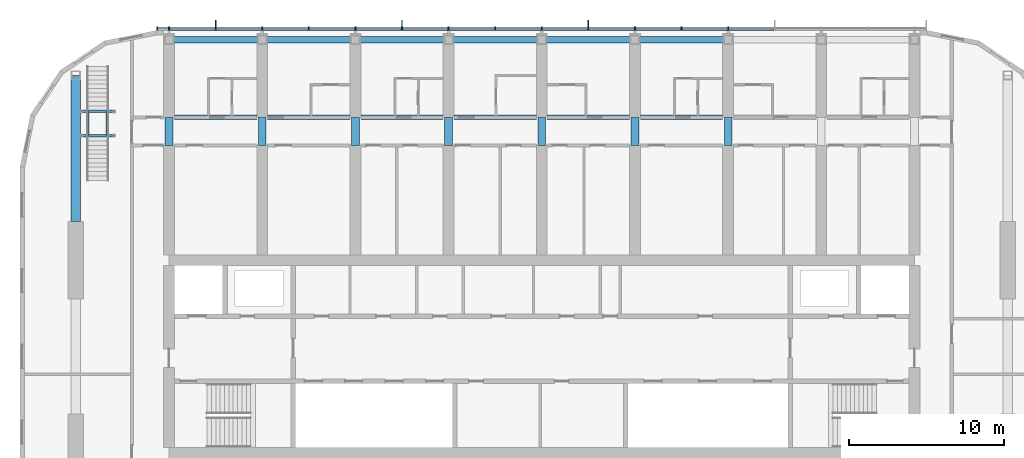
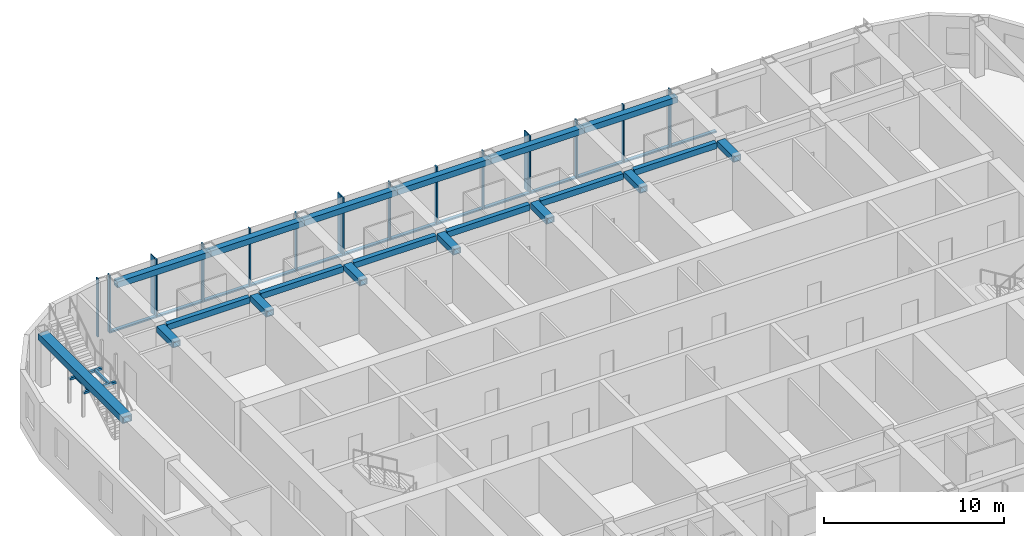
# One storey, part 6 of 26: 30 members, 24 beams, 1 element without a shape of its own.
"""IFC4 building model written with IfcOpenShell, lengths in metres."""

from ifc_helpers import new_model, si_unit, direction, frame, origin, origin_2d, place, context, subcontext, project, spatial, rectangle, hollow_rectangle, extrude, material, material_profile, profile_set, type_object, element, aggregate, save


model = new_model("IFC4")

# Units and contexts
model_context = context("Model", 3, precision=1e-05, world=origin(), true_north=direction((0.0, 1.0)))
body_context = subcontext(model_context, "Body", "Model", "MODEL_VIEW")
ifc_project = project(units=[si_unit("LENGTHUNIT", "METRE"), si_unit("AREAUNIT", "SQUARE_METRE"), si_unit("VOLUMEUNIT", "CUBIC_METRE"), si_unit("PLANEANGLEUNIT", "RADIAN"), si_unit("MASSUNIT", "GRAM", prefix="KILO")], contexts=[model_context])

# Site, building, storey
site_placement = place(None, origin())
site = spatial("IfcSite", under=ifc_project, at=site_placement, CompositionType="ELEMENT")
building_placement = place(site_placement, origin())
building = spatial("IfcBuilding", under=site, at=building_placement, Name="Orbita Commons", CompositionType="ELEMENT")
storey_placement = place(building_placement, frame((0.0, 0.0, 231.550048828125)))
storey = spatial("IfcBuildingStorey", under=building, at=storey_placement, Name="L57", CompositionType="ELEMENT", Elevation=231.550048828125)

# Curtain wall, members
ifc_material_1 = material(Name="Anodised aluminium frame, pale silver", Category="aluminium")
curtain_wall_type = type_object("IfcCurtainWallType", Name="Unitised curtain wall CW-U, full-height vision", PredefinedType="NOTDEFINED", material=ifc_material_1)
curtain_wall_placement = place(storey_placement, origin())
curtain_wall = element("IfcCurtainWall", 1, at=curtain_wall_placement, inside=storey, type_object=curtain_wall_type, Name="Curtain wall north L57", PredefinedType="NOTDEFINED")
ifc_material_2 = material(Name="Anodised aluminium, pale silver", Category="aluminium")
ifc_material_profile_1 = material_profile(ifc_material_2, rectangle(XDim=0.080078125, YDim=0.219970703125, at=origin_2d()), Name="AL 80x220")
ifc_profile_set_1 = profile_set([ifc_material_profile_1], Name="Anodised aluminium, pale silver")
member_type_1 = type_object("IfcMemberType", Name="Curtain wall mullion 80x220", PredefinedType="MULLION", material=ifc_profile_set_1)
member_1_placement = place(storey_placement, frame((54.0, 53.110107421875, -0.449951171875), z_axis=(0.0, 0.0, 1.0), x_axis=(-1.0, 0.0, 0.0)))
member_1 = element("IfcMember", 2, at=member_1_placement, type_object=member_type_1, Name="Mullion 6 CW-L57-N", PredefinedType="MULLION", context=body_context, shape_type="SweptSolid", body=[
    extrude(rectangle(XDim=0.080078125, YDim=0.219970703125, at=origin_2d()), origin(), (0.0, 0.0, 1.0), 3.949951171875),
])
member_2_placement = place(storey_placement, frame((51.0, 53.110107421875, -0.449951171875), z_axis=(0.0, 0.0, 1.0), x_axis=(-1.0, 0.0, 0.0)))
member_2 = element("IfcMember", 3, at=member_2_placement, type_object=member_type_1, Name="Mullion 7 CW-L57-N", PredefinedType="MULLION", context=body_context, shape_type="SweptSolid", body=[
    extrude(rectangle(XDim=0.080078125, YDim=0.219970703125, at=origin_2d()), origin(), (0.0, 0.0, 1.0), 3.949951171875),
])
member_3_placement = place(storey_placement, frame((48.0, 53.110107421875, -0.449951171875), z_axis=(0.0, 0.0, 1.0), x_axis=(-1.0, 0.0, 0.0)))
member_3 = element("IfcMember", 4, at=member_3_placement, type_object=member_type_1, Name="Mullion 8 CW-L57-N", PredefinedType="MULLION", context=body_context, shape_type="SweptSolid", body=[
    extrude(rectangle(XDim=0.080078125, YDim=0.219970703125, at=origin_2d()), origin(), (0.0, 0.0, 1.0), 3.949951171875),
])
member_4_placement = place(storey_placement, frame((45.0, 53.110107421875, -0.449951171875), z_axis=(0.0, 0.0, 1.0), x_axis=(-1.0, 0.0, 0.0)))
member_4 = element("IfcMember", 5, at=member_4_placement, type_object=member_type_1, Name="Mullion 9 CW-L57-N", PredefinedType="MULLION", context=body_context, shape_type="SweptSolid", body=[
    extrude(rectangle(XDim=0.080078125, YDim=0.219970703125, at=origin_2d()), origin(), (0.0, 0.0, 1.0), 3.949951171875),
])
member_5_placement = place(storey_placement, frame((42.0, 53.110107421875, -0.449951171875), z_axis=(0.0, 0.0, 1.0), x_axis=(-1.0, 0.0, 0.0)))
member_5 = element("IfcMember", 6, at=member_5_placement, type_object=member_type_1, Name="Mullion 10 CW-L57-N", PredefinedType="MULLION", context=body_context, shape_type="SweptSolid", body=[
    extrude(rectangle(XDim=0.080078125, YDim=0.219970703125, at=origin_2d()), origin(), (0.0, 0.0, 1.0), 3.949951171875),
])
member_6_placement = place(storey_placement, frame((39.0, 53.110107421875, -0.449951171875), z_axis=(0.0, 0.0, 1.0), x_axis=(-1.0, 0.0, 0.0)))
member_6 = element("IfcMember", 7, at=member_6_placement, type_object=member_type_1, Name="Mullion 11 CW-L57-N", PredefinedType="MULLION", context=body_context, shape_type="SweptSolid", body=[
    extrude(rectangle(XDim=0.080078125, YDim=0.219970703125, at=origin_2d()), origin(), (0.0, 0.0, 1.0), 3.949951171875),
])
member_7_placement = place(storey_placement, frame((36.0, 53.110107421875, -0.449951171875), z_axis=(0.0, 0.0, 1.0), x_axis=(-1.0, 0.0, 0.0)))
member_7 = element("IfcMember", 8, at=member_7_placement, type_object=member_type_1, Name="Mullion 12 CW-L57-N", PredefinedType="MULLION", context=body_context, shape_type="SweptSolid", body=[
    extrude(rectangle(XDim=0.080078125, YDim=0.219970703125, at=origin_2d()), origin(), (0.0, 0.0, 1.0), 3.949951171875),
])
member_8_placement = place(storey_placement, frame((33.0, 53.110107421875, -0.449951171875), z_axis=(0.0, 0.0, 1.0), x_axis=(-1.0, 0.0, 0.0)))
member_8 = element("IfcMember", 9, at=member_8_placement, type_object=member_type_1, Name="Mullion 13 CW-L57-N", PredefinedType="MULLION", context=body_context, shape_type="SweptSolid", body=[
    extrude(rectangle(XDim=0.080078125, YDim=0.219970703125, at=origin_2d()), origin(), (0.0, 0.0, 1.0), 3.949951171875),
])
member_9_placement = place(storey_placement, frame((30.0, 53.110107421875, -0.449951171875), z_axis=(0.0, 0.0, 1.0), x_axis=(-1.0, 0.0, 0.0)))
member_9 = element("IfcMember", 10, at=member_9_placement, type_object=member_type_1, Name="Mullion 14 CW-L57-N", PredefinedType="MULLION", context=body_context, shape_type="SweptSolid", body=[
    extrude(rectangle(XDim=0.080078125, YDim=0.219970703125, at=origin_2d()), origin(), (0.0, 0.0, 1.0), 3.949951171875),
])
member_10_placement = place(storey_placement, frame((27.0, 53.110107421875, -0.449951171875), z_axis=(0.0, 0.0, 1.0), x_axis=(-1.0, 0.0, 0.0)))
member_10 = element("IfcMember", 11, at=member_10_placement, type_object=member_type_1, Name="Mullion 15 CW-L57-N", PredefinedType="MULLION", context=body_context, shape_type="SweptSolid", body=[
    extrude(rectangle(XDim=0.080078125, YDim=0.219970703125, at=origin_2d()), origin(), (0.0, 0.0, 1.0), 3.949951171875),
])
member_11_placement = place(storey_placement, frame((24.0, 53.110107421875, -0.449951171875), z_axis=(0.0, 0.0, 1.0), x_axis=(-1.0, 0.0, 0.0)))
member_11 = element("IfcMember", 12, at=member_11_placement, type_object=member_type_1, Name="Mullion 16 CW-L57-N", PredefinedType="MULLION", context=body_context, shape_type="SweptSolid", body=[
    extrude(rectangle(XDim=0.080078125, YDim=0.219970703125, at=origin_2d()), origin(), (0.0, 0.0, 1.0), 3.949951171875),
])
member_12_placement = place(storey_placement, frame((21.0, 53.110107421875, -0.449951171875), z_axis=(0.0, 0.0, 1.0), x_axis=(-1.0, 0.0, 0.0)))
member_12 = element("IfcMember", 13, at=member_12_placement, type_object=member_type_1, Name="Mullion 17 CW-L57-N", PredefinedType="MULLION", context=body_context, shape_type="SweptSolid", body=[
    extrude(rectangle(XDim=0.080078125, YDim=0.219970703125, at=origin_2d()), origin(), (0.0, 0.0, 1.0), 3.949951171875),
])
member_13_placement = place(storey_placement, frame((18.0, 53.110107421875, -0.449951171875), z_axis=(0.0, 0.0, 1.0), x_axis=(-1.0, 0.0, 0.0)))
member_13 = element("IfcMember", 14, at=member_13_placement, type_object=member_type_1, Name="Mullion 18 CW-L57-N", PredefinedType="MULLION", context=body_context, shape_type="SweptSolid", body=[
    extrude(rectangle(XDim=0.080078125, YDim=0.219970703125, at=origin_2d()), origin(), (0.0, 0.0, 1.0), 3.949951171875),
])
member_14_placement = place(storey_placement, frame((17.239990234375, 53.110107421875, -0.449951171875), z_axis=(0.0, 0.0, 1.0), x_axis=(-1.0, 0.0, 0.0)))
member_14 = element("IfcMember", 15, at=member_14_placement, type_object=member_type_1, Name="Mullion 19 CW-L57-N", PredefinedType="MULLION", context=body_context, shape_type="SweptSolid", body=[
    extrude(rectangle(XDim=0.080078125, YDim=0.219970703125, at=origin_2d()), origin(), (0.0, 0.0, 1.0), 3.949951171875),
])
ifc_material_3 = material(Name="Anodised aluminium, pale silver", Category="aluminium")
ifc_material_profile_2 = material_profile(ifc_material_3, rectangle(XDim=0.219970703125, YDim=0.10009765625, at=origin_2d()), Name="AL 220x100")
ifc_profile_set_2 = profile_set([ifc_material_profile_2], Name="Anodised aluminium, pale silver")
member_type_2 = type_object("IfcMemberType", Name="Curtain wall stack transom 220x100", PredefinedType="USERDEFINED", material=ifc_profile_set_2)
member_15_placement = place(storey_placement, frame((56.9599609375, 53.110107421875, -0.400146484375), z_axis=(-1.0, 0.0, 0.0), x_axis=(0.0, -1.0, 0.0)))
member_15 = element("IfcMember", 16, at=member_15_placement, type_object=member_type_2, Name="Transom 5.1 CW-L57-N", ObjectType="TRANSOM", PredefinedType="USERDEFINED", context=body_context, shape_type="SweptSolid", body=[
    extrude(rectangle(XDim=0.219970703125, YDim=0.10009765625, at=origin_2d()), origin(), (0.0, 0.0, 1.0), 2.919921875),
])
member_16_placement = place(storey_placement, frame((53.9599609375, 53.110107421875, -0.400146484375), z_axis=(-1.0, 0.0, 0.0), x_axis=(0.0, -1.0, 0.0)))
member_16 = element("IfcMember", 17, at=member_16_placement, type_object=member_type_2, Name="Transom 6.1 CW-L57-N", ObjectType="TRANSOM", PredefinedType="USERDEFINED", context=body_context, shape_type="SweptSolid", body=[
    extrude(rectangle(XDim=0.219970703125, YDim=0.10009765625, at=origin_2d()), origin(), (0.0, 0.0, 1.0), 2.919921875),
])
member_17_placement = place(storey_placement, frame((50.9599609375, 53.110107421875, -0.400146484375), z_axis=(-1.0, 0.0, 0.0), x_axis=(0.0, -1.0, 0.0)))
member_17 = element("IfcMember", 18, at=member_17_placement, type_object=member_type_2, Name="Transom 7.1 CW-L57-N", ObjectType="TRANSOM", PredefinedType="USERDEFINED", context=body_context, shape_type="SweptSolid", body=[
    extrude(rectangle(XDim=0.219970703125, YDim=0.10009765625, at=origin_2d()), origin(), (0.0, 0.0, 1.0), 2.919921875),
])
member_18_placement = place(storey_placement, frame((47.9599609375, 53.110107421875, -0.400146484375), z_axis=(-1.0, 0.0, 0.0), x_axis=(0.0, -1.0, 0.0)))
member_18 = element("IfcMember", 19, at=member_18_placement, type_object=member_type_2, Name="Transom 8.1 CW-L57-N", ObjectType="TRANSOM", PredefinedType="USERDEFINED", context=body_context, shape_type="SweptSolid", body=[
    extrude(rectangle(XDim=0.219970703125, YDim=0.10009765625, at=origin_2d()), origin(), (0.0, 0.0, 1.0), 2.919921875),
])
member_19_placement = place(storey_placement, frame((44.9599609375, 53.110107421875, -0.400146484375), z_axis=(-1.0, 0.0, 0.0), x_axis=(0.0, -1.0, 0.0)))
member_19 = element("IfcMember", 20, at=member_19_placement, type_object=member_type_2, Name="Transom 9.1 CW-L57-N", ObjectType="TRANSOM", PredefinedType="USERDEFINED", context=body_context, shape_type="SweptSolid", body=[
    extrude(rectangle(XDim=0.219970703125, YDim=0.10009765625, at=origin_2d()), origin(), (0.0, 0.0, 1.0), 2.919921875),
])
member_20_placement = place(storey_placement, frame((41.9599609375, 53.110107421875, -0.400146484375), z_axis=(-1.0, 0.0, 0.0), x_axis=(0.0, -1.0, 0.0)))
member_20 = element("IfcMember", 21, at=member_20_placement, type_object=member_type_2, Name="Transom 10.1 CW-L57-N", ObjectType="TRANSOM", PredefinedType="USERDEFINED", context=body_context, shape_type="SweptSolid", body=[
    extrude(rectangle(XDim=0.219970703125, YDim=0.10009765625, at=origin_2d()), origin(), (0.0, 0.0, 1.0), 2.919921875),
])
member_21_placement = place(storey_placement, frame((38.9599609375, 53.110107421875, -0.400146484375), z_axis=(-1.0, 0.0, 0.0), x_axis=(0.0, -1.0, 0.0)))
member_21 = element("IfcMember", 22, at=member_21_placement, type_object=member_type_2, Name="Transom 11.1 CW-L57-N", ObjectType="TRANSOM", PredefinedType="USERDEFINED", context=body_context, shape_type="SweptSolid", body=[
    extrude(rectangle(XDim=0.219970703125, YDim=0.10009765625, at=origin_2d()), origin(), (0.0, 0.0, 1.0), 2.919921875),
])
member_22_placement = place(storey_placement, frame((35.9599609375, 53.110107421875, -0.400146484375), z_axis=(-1.0, 0.0, 0.0), x_axis=(0.0, -1.0, 0.0)))
member_22 = element("IfcMember", 23, at=member_22_placement, type_object=member_type_2, Name="Transom 12.1 CW-L57-N", ObjectType="TRANSOM", PredefinedType="USERDEFINED", context=body_context, shape_type="SweptSolid", body=[
    extrude(rectangle(XDim=0.219970703125, YDim=0.10009765625, at=origin_2d()), origin(), (0.0, 0.0, 1.0), 2.919921875),
])
member_23_placement = place(storey_placement, frame((32.9599609375, 53.110107421875, -0.400146484375), z_axis=(-1.0, 0.0, 0.0), x_axis=(0.0, -1.0, 0.0)))
member_23 = element("IfcMember", 24, at=member_23_placement, type_object=member_type_2, Name="Transom 13.1 CW-L57-N", ObjectType="TRANSOM", PredefinedType="USERDEFINED", context=body_context, shape_type="SweptSolid", body=[
    extrude(rectangle(XDim=0.219970703125, YDim=0.10009765625, at=origin_2d()), origin(), (0.0, 0.0, 1.0), 2.919921875),
])
member_24_placement = place(storey_placement, frame((29.9599609375, 53.110107421875, -0.400146484375), z_axis=(-1.0, 0.0, 0.0), x_axis=(0.0, -1.0, 0.0)))
member_24 = element("IfcMember", 25, at=member_24_placement, type_object=member_type_2, Name="Transom 14.1 CW-L57-N", ObjectType="TRANSOM", PredefinedType="USERDEFINED", context=body_context, shape_type="SweptSolid", body=[
    extrude(rectangle(XDim=0.219970703125, YDim=0.10009765625, at=origin_2d()), origin(), (0.0, 0.0, 1.0), 2.919921875),
])
member_25_placement = place(storey_placement, frame((26.9599609375, 53.110107421875, -0.400146484375), z_axis=(-1.0, 0.0, 0.0), x_axis=(0.0, -1.0, 0.0)))
member_25 = element("IfcMember", 26, at=member_25_placement, type_object=member_type_2, Name="Transom 15.1 CW-L57-N", ObjectType="TRANSOM", PredefinedType="USERDEFINED", context=body_context, shape_type="SweptSolid", body=[
    extrude(rectangle(XDim=0.219970703125, YDim=0.10009765625, at=origin_2d()), origin(), (0.0, 0.0, 1.0), 2.919921875),
])
member_26_placement = place(storey_placement, frame((23.9599609375, 53.110107421875, -0.400146484375), z_axis=(-1.0, 0.0, 0.0), x_axis=(0.0, -1.0, 0.0)))
member_26 = element("IfcMember", 27, at=member_26_placement, type_object=member_type_2, Name="Transom 16.1 CW-L57-N", ObjectType="TRANSOM", PredefinedType="USERDEFINED", context=body_context, shape_type="SweptSolid", body=[
    extrude(rectangle(XDim=0.219970703125, YDim=0.10009765625, at=origin_2d()), origin(), (0.0, 0.0, 1.0), 2.919921875),
])
member_27_placement = place(storey_placement, frame((20.9599609375, 53.110107421875, -0.400146484375), z_axis=(-1.0, 0.0, 0.0), x_axis=(0.0, -1.0, 0.0)))
member_27 = element("IfcMember", 28, at=member_27_placement, type_object=member_type_2, Name="Transom 17.1 CW-L57-N", ObjectType="TRANSOM", PredefinedType="USERDEFINED", context=body_context, shape_type="SweptSolid", body=[
    extrude(rectangle(XDim=0.219970703125, YDim=0.10009765625, at=origin_2d()), origin(), (0.0, 0.0, 1.0), 2.919921875),
])

# Beams
ifc_material_4 = material(Name="Steel ASTM A992", Category="steel")
ifc_material_profile_3 = material_profile(ifc_material_4, hollow_rectangle(XDim=0.14990234375, YDim=0.14990234375, WallThickness=0.008056640625, at=origin_2d()), Name="SHS 150x150x8")
ifc_profile_set_3 = profile_set([ifc_material_profile_3], Name="Steel ASTM A992")
beam_type_1 = type_object("IfcBeamType", Name="Landing frame beam SHS 150x150x8", PredefinedType="BEAM", material=ifc_profile_set_3)
for number, where, z_axis, x_axis, name in (
    (29, (12.35009765625, 46.22509765625, 1.599853515625), (1.0, 0.0, 0.0), (0.0, 1.0, 0.0), "Neighbourhood stair L57 to L58 landing frame beam 1"),
    (30, (12.35009765625, 47.784912109375, 1.599853515625), (1.0, 0.0, 0.0), (0.0, 1.0, 0.0), "Neighbourhood stair L57 to L58 landing frame beam 2"),
):
    element("IfcBeam", number, at=place(storey_placement, frame(where, z_axis=z_axis, x_axis=x_axis)), inside=storey, type_object=beam_type_1, Name=name, PredefinedType="BEAM", context=body_context, shape_type="SweptSolid", body=[
        extrude(hollow_rectangle(XDim=0.14990234375, YDim=0.14990234375, WallThickness=0.008056640625, at=origin_2d()), origin(), (0.0, 0.0, 1.0), 2.099853515625),
    ])
for number, where, z_axis, x_axis, name in (
    (31, (12.77490234375, 46.22509765625, 1.599853515625), (0.0, 1.0, 0.0), (-1.0, 0.0, 0.0), "Neighbourhood stair L57 to L58 landing frame beam 3"),
    (32, (14.02490234375, 46.22509765625, 1.599853515625), (0.0, 1.0, 0.0), (-1.0, 0.0, 0.0), "Neighbourhood stair L57 to L58 landing frame beam 4"),
):
    element("IfcBeam", number, at=place(storey_placement, frame(where, z_axis=z_axis, x_axis=x_axis)), inside=storey, type_object=beam_type_1, Name=name, PredefinedType="BEAM", context=body_context, shape_type="SweptSolid", body=[
        extrude(hollow_rectangle(XDim=0.14990234375, YDim=0.14990234375, WallThickness=0.008056640625, at=origin_2d()), origin(), (0.0, 0.0, 1.0), 1.559814453125),
    ])
ifc_material_5 = material(Name="Steel ASTM A572 Gr 50 welded plate", Category="steel")
ifc_material_profile_4 = material_profile(ifc_material_5, hollow_rectangle(XDim=0.300048828125, YDim=0.39990234375, WallThickness=0.0400390625, at=origin_2d()), Name="BOX 400x300x40")
ifc_profile_set_4 = profile_set([ifc_material_profile_4], Name="Steel ASTM A572 Gr 50 welded plate")
beam_type_2 = type_object("IfcBeamType", Name="Steel corridor link BOX 400x300x40", PredefinedType="BEAM", material=ifc_profile_set_4)
for number, where, z_axis, x_axis, name in (
    (33, (18.35009765625, 47.39990234375, 3.300048828125), (1.0, 0.0, 0.0), (0.0, 1.0, 0.0), "Corridor beam NB 4-5 L57"),
    (34, (24.35009765625, 47.39990234375, 3.300048828125), (1.0, 0.0, 0.0), (0.0, 1.0, 0.0), "Corridor beam NB 5-6 L57"),
    (35, (30.35009765625, 47.39990234375, 3.300048828125), (1.0, 0.0, 0.0), (0.0, 1.0, 0.0), "Corridor beam NB 6-7 L57"),
    (36, (36.35009765625, 47.39990234375, 3.300048828125), (1.0, 0.0, 0.0), (0.0, 1.0, 0.0), "Corridor beam NB 7-8 L57"),
    (37, (42.35009765625, 47.39990234375, 3.300048828125), (1.0, 0.0, 0.0), (0.0, 1.0, 0.0), "Corridor beam NB 8-9 L57"),
    (38, (48.35009765625, 47.39990234375, 3.300048828125), (1.0, 0.0, 0.0), (0.0, 1.0, 0.0), "Corridor beam NB 9-10 L57"),
):
    element("IfcBeam", number, at=place(storey_placement, frame(where, z_axis=z_axis, x_axis=x_axis)), inside=storey, type_object=beam_type_2, Name=name, PredefinedType="BEAM", context=body_context, shape_type="SweptSolid", body=[
        extrude(hollow_rectangle(XDim=0.300048828125, YDim=0.39990234375, WallThickness=0.0400390625, at=origin_2d()), origin(), (0.0, 0.0, 1.0), 5.2998046875),
    ])
ifc_material_6 = material(Name="Steel ASTM A572 Gr 50 welded plate", Category="steel")
ifc_material_profile_5 = material_profile(ifc_material_6, hollow_rectangle(XDim=0.5, YDim=0.39990234375, WallThickness=0.050048828125, at=origin_2d()), Name="BOX 400x500x50")
ifc_profile_set_5 = profile_set([ifc_material_profile_5], Name="Steel ASTM A572 Gr 50 welded plate")
beam_type_3 = type_object("IfcBeamType", Name="Steel coupling link BOX 400x500x50", PredefinedType="LINTEL", material=ifc_profile_set_5)
for number, where, z_axis, x_axis, name in (
    (39, (18.0, 45.60009765625, 3.300048828125), (0.0, 1.0, 0.0), (-1.0, 0.0, 0.0), "Coupling beam 4 north L57"),
    (40, (24.0, 45.60009765625, 3.300048828125), (0.0, 1.0, 0.0), (-1.0, 0.0, 0.0), "Coupling beam 5 north L57"),
    (41, (30.0, 45.60009765625, 3.300048828125), (0.0, 1.0, 0.0), (-1.0, 0.0, 0.0), "Coupling beam 6 north L57"),
    (42, (36.0, 45.60009765625, 3.300048828125), (0.0, 1.0, 0.0), (-1.0, 0.0, 0.0), "Coupling beam 7 north L57"),
    (43, (42.0, 45.60009765625, 3.300048828125), (0.0, 1.0, 0.0), (-1.0, 0.0, 0.0), "Coupling beam 8 north L57"),
    (44, (48.0, 45.60009765625, 3.300048828125), (0.0, 1.0, 0.0), (-1.0, 0.0, 0.0), "Coupling beam 9 north L57"),
    (45, (54.0, 45.60009765625, 3.300048828125), (0.0, 1.0, 0.0), (-1.0, 0.0, 0.0), "Coupling beam 10 north L57"),
):
    element("IfcBeam", number, at=place(storey_placement, frame(where, z_axis=z_axis, x_axis=x_axis)), inside=storey, type_object=beam_type_3, Name=name, PredefinedType="LINTEL", context=body_context, shape_type="SweptSolid", body=[
        extrude(hollow_rectangle(XDim=0.5, YDim=0.39990234375, WallThickness=0.050048828125, at=origin_2d()), origin(), (0.0, 0.0, 1.0), 1.7998046875),
    ])
ifc_material_7 = material(Name="Steel ASTM A572 Gr 50 welded plate", Category="steel")
ifc_material_profile_6 = material_profile(ifc_material_7, hollow_rectangle(XDim=0.60009765625, YDim=0.449951171875, WallThickness=0.06005859375, at=origin_2d()), Name="BOX 450x600x60")
ifc_profile_set_6 = profile_set([ifc_material_profile_6], Name="Steel ASTM A572 Gr 50 welded plate")
beam_type_4 = type_object("IfcBeamType", Name="Steel end frame link BOX 450x600x60", PredefinedType="BEAM", material=ifc_profile_set_6)
beam_placement = place(storey_placement, frame((12.0, 40.699951171875, 3.27490234375), z_axis=(0.0, 1.0, 0.0), x_axis=(-1.0, 0.0, 0.0)))
element("IfcBeam", 46, at=beam_placement, inside=storey, type_object=beam_type_4, Name="End frame beam 3 D-E L57", PredefinedType="BEAM", context=body_context, shape_type="SweptSolid", body=[
    extrude(hollow_rectangle(XDim=0.60009765625, YDim=0.449951171875, WallThickness=0.06005859375, at=origin_2d()), origin(), (0.0, 0.0, 1.0), 9.400146484375),
])
ifc_material_8 = material(Name="Steel ASTM A572 Gr 50 welded plate", Category="steel")
ifc_material_profile_7 = material_profile(ifc_material_8, hollow_rectangle(XDim=0.39990234375, YDim=0.39990234375, WallThickness=0.0400390625, at=origin_2d()), Name="BOX 400x400x40")
ifc_profile_set_7 = profile_set([ifc_material_profile_7], Name="Steel ASTM A572 Gr 50 welded plate")
beam_type_5 = type_object("IfcBeamType", Name="Steel spandrel BOX 400x400x40", PredefinedType="SPANDREL", material=ifc_profile_set_7)
for number, where, z_axis, x_axis, name in (
    (47, (18.0, 52.39990234375, 3.300048828125), (1.0, 0.0, 0.0), (0.0, 1.0, 0.0), "Spandrel beam E 4-5 L57"),
    (48, (24.0, 52.39990234375, 3.300048828125), (1.0, 0.0, 0.0), (0.0, 1.0, 0.0), "Spandrel beam E 5-6 L57"),
    (49, (30.0, 52.39990234375, 3.300048828125), (1.0, 0.0, 0.0), (0.0, 1.0, 0.0), "Spandrel beam E 6-7 L57"),
    (50, (36.0, 52.39990234375, 3.300048828125), (1.0, 0.0, 0.0), (0.0, 1.0, 0.0), "Spandrel beam E 7-8 L57"),
    (51, (42.0, 52.39990234375, 3.300048828125), (1.0, 0.0, 0.0), (0.0, 1.0, 0.0), "Spandrel beam E 8-9 L57"),
    (52, (48.0, 52.39990234375, 3.300048828125), (1.0, 0.0, 0.0), (0.0, 1.0, 0.0), "Spandrel beam E 9-10 L57"),
):
    element("IfcBeam", number, at=place(storey_placement, frame(where, z_axis=z_axis, x_axis=x_axis)), inside=storey, type_object=beam_type_5, Name=name, PredefinedType="SPANDREL", context=body_context, shape_type="SweptSolid", body=[
        extrude(hollow_rectangle(XDim=0.39990234375, YDim=0.39990234375, WallThickness=0.0400390625, at=origin_2d()), origin(), (0.0, 0.0, 1.0), 6.0),
    ])

# Member
ifc_material_9 = material(Name="Anodised aluminium, pale silver", Category="aluminium")
ifc_material_profile_8 = material_profile(ifc_material_9, rectangle(XDim=0.06005859375, YDim=0.449951171875, at=origin_2d()), Name="FIN 60x450")
ifc_profile_set_8 = profile_set([ifc_material_profile_8], Name="Anodised aluminium, pale silver")
member_type_3 = type_object("IfcMemberType", Name="Vertical fin 60x450 pale aluminium", PredefinedType="USERDEFINED", material=ifc_profile_set_8)
member_28_placement = place(storey_placement, frame((45.0, 53.445068359375, -0.449951171875), z_axis=(0.0, 0.0, 1.0), x_axis=(-1.0, 0.0, 0.0)))
member_28 = element("IfcMember", 53, at=member_28_placement, type_object=member_type_3, Name="Fin 9 CW-L57-N", ObjectType="FIN", PredefinedType="USERDEFINED", context=body_context, shape_type="SweptSolid", body=[
    extrude(rectangle(XDim=0.06005859375, YDim=0.449951171875, at=origin_2d()), origin(), (0.0, 0.0, 1.0), 3.949951171875),
])

member_29_placement = place(storey_placement, frame((33.0, 53.445068359375, -0.449951171875), z_axis=(0.0, 0.0, 1.0), x_axis=(-1.0, 0.0, 0.0)))
member_29 = element("IfcMember", 54, at=member_29_placement, type_object=member_type_3, Name="Fin 13 CW-L57-N", ObjectType="FIN", PredefinedType="USERDEFINED", context=body_context, shape_type="SweptSolid", body=[
    extrude(rectangle(XDim=0.06005859375, YDim=0.449951171875, at=origin_2d()), origin(), (0.0, 0.0, 1.0), 3.949951171875),
])

member_30_placement = place(storey_placement, frame((21.0, 53.445068359375, -0.449951171875), z_axis=(0.0, 0.0, 1.0), x_axis=(-1.0, 0.0, 0.0)))
member_30 = element("IfcMember", 55, at=member_30_placement, type_object=member_type_3, Name="Fin 17 CW-L57-N", ObjectType="FIN", PredefinedType="USERDEFINED", context=body_context, shape_type="SweptSolid", body=[
    extrude(rectangle(XDim=0.06005859375, YDim=0.449951171875, at=origin_2d()), origin(), (0.0, 0.0, 1.0), 3.949951171875),
])

aggregate(curtain_wall, [member_1, member_2, member_3, member_4, member_28, member_5, member_6, member_7, member_8, member_29, member_9, member_10, member_11, member_12, member_30, member_13, member_14, member_15, member_16, member_17, member_18, member_19, member_20, member_21, member_22, member_23, member_24, member_25, member_26, member_27])

save(model, "model.ifc")
